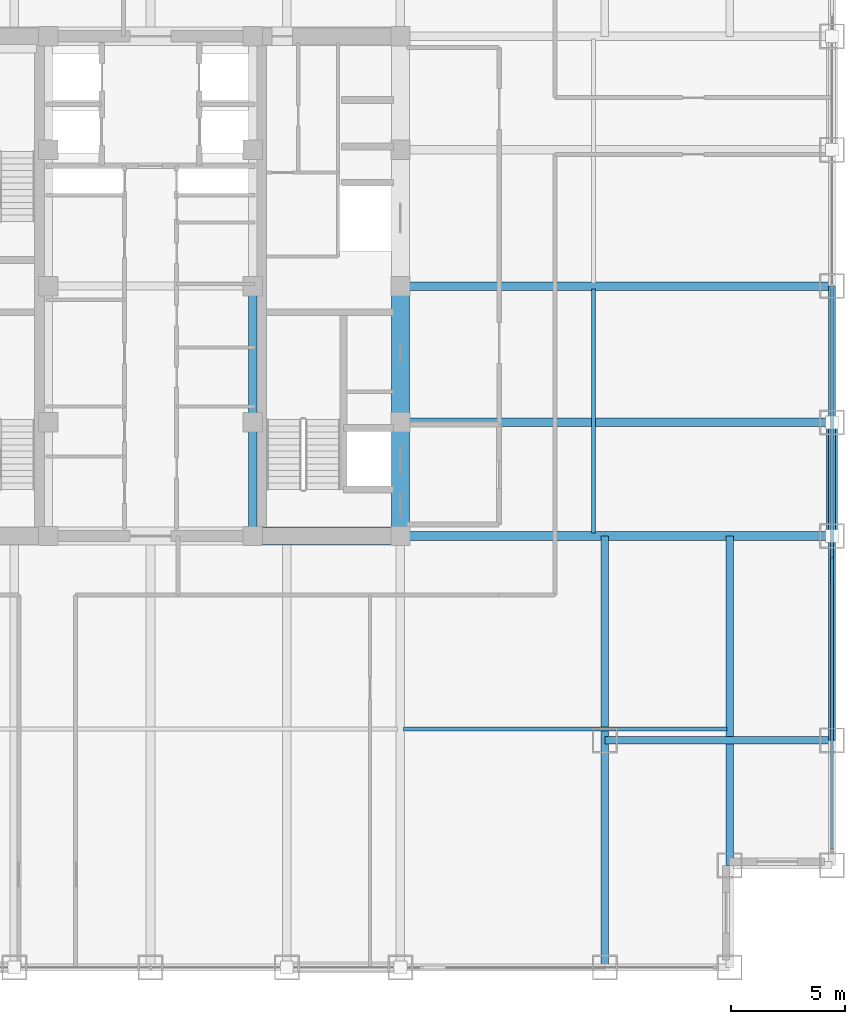
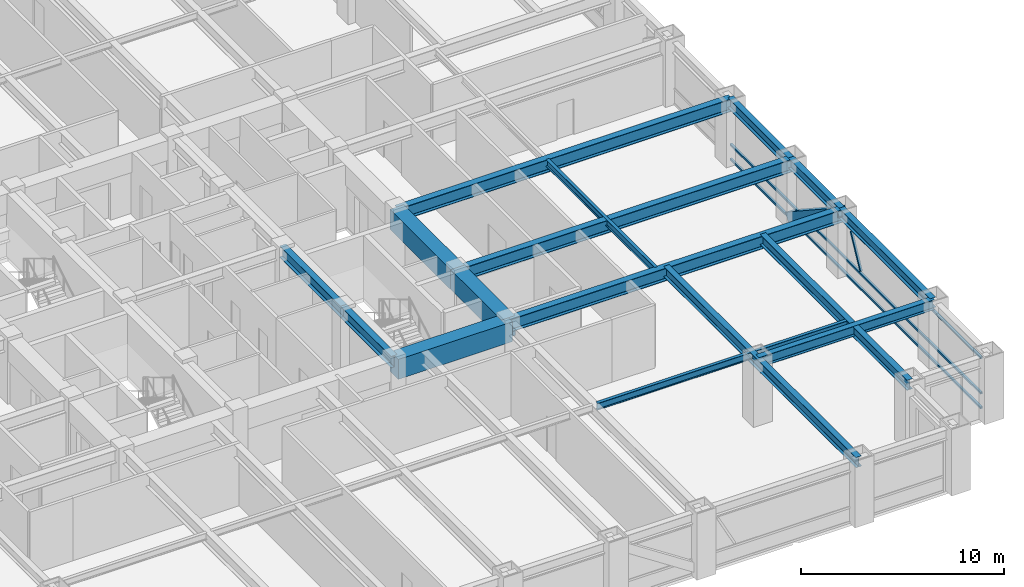
# One storey, part 9 of 24: 16 beams, 5 members, 1 element without a shape of its own.
"""IFC4 building model written with IfcOpenShell, lengths in metres."""

from ifc_helpers import new_model, si_unit, direction, frame, origin, origin_2d, place, context, subcontext, project, spatial, rectangle, hollow_rectangle, i_section, extrude, source, transform, mapped, material, material_profile, profile_set, type_object, element, aggregate, save


model = new_model("IFC4")

# Units and contexts
model_context = context("Model", 3, precision=1e-05, world=origin(), true_north=direction((0.0, 1.0)))
body_context = subcontext(model_context, "Body", "Model", "MODEL_VIEW")
ifc_project = project(units=[si_unit("LENGTHUNIT", "METRE"), si_unit("AREAUNIT", "SQUARE_METRE"), si_unit("VOLUMEUNIT", "CUBIC_METRE"), si_unit("PLANEANGLEUNIT", "RADIAN"), si_unit("MASSUNIT", "GRAM", prefix="KILO")], contexts=[model_context])

# Site, building, storey
site_placement = place(None, origin())
site = spatial("IfcSite", under=ifc_project, at=site_placement, CompositionType="ELEMENT")
building_placement = place(site_placement, origin())
building = spatial("IfcBuilding", under=site, at=building_placement, Name="Khorayat Bourse Tower", CompositionType="ELEMENT")
storey_placement = place(building_placement, frame((0.0, 0.0, 167.10009765625)))
storey = spatial("IfcBuildingStorey", under=building, at=storey_placement, Name="L38", CompositionType="ELEMENT", Elevation=167.10009765625)

# Beams
ifc_material_1 = material(Name="Concrete C72/90", Category="concrete")
ifc_material_profile_1 = material_profile(ifc_material_1, rectangle(XDim=0.800048828125, YDim=1.199951171875, at=origin_2d()), Name="RC 800x1200")
ifc_profile_set_1 = profile_set([ifc_material_profile_1], Name="Concrete C72/90")
beam_type_1 = type_object("IfcBeamType", Name="BM-COUP-1200", PredefinedType="BEAM", material=ifc_profile_set_1)
shared_shape_1 = source(origin(), body_context, "Body", "SweptSolid", [
    extrude(rectangle(XDim=0.800048828125, YDim=1.199951171875, at=origin_2d()), origin(), (0.0, 0.0, 1.0), 5.0),
])
beam_1_placement = place(storey_placement, frame((11.0, -11.0, 3.179931640625), z_axis=(0.0, 1.0, 0.0), x_axis=(-1.0, 0.0, 0.0)))
element("IfcBeam", 1, at=beam_1_placement, inside=storey, type_object=beam_type_1, Name="L38 BM-COUP-1200 BM-L38-CRX-13", PredefinedType="BEAM", context=body_context, shape_type="MappedRepresentation", body=[
    mapped(shared_shape_1, transform((0.0, 0.0, 0.0), scale=1.0)),
])
shared_shape_2 = source(origin(), body_context, "Body", "SweptSolid", [
    extrude(rectangle(XDim=0.800048828125, YDim=1.199951171875, at=origin_2d()), origin(), (0.0, 0.0, 1.0), 6.0),
])
beam_2_placement = place(storey_placement, frame((11.0, -6.0, 3.179931640625), z_axis=(0.0, 1.0, 0.0), x_axis=(-1.0, 0.0, 0.0)))
element("IfcBeam", 2, at=beam_2_placement, inside=storey, type_object=beam_type_1, Name="L38 BM-COUP-1200 BM-L38-CRX-14", PredefinedType="BEAM", context=body_context, shape_type="MappedRepresentation", body=[
    mapped(shared_shape_2, transform((0.0, 0.0, 0.0), scale=1.0)),
])
ifc_material_2 = material(Name="Steel ASTM A992 Grade 50", Category="steel")
ifc_material_profile_2 = material_profile(ifc_material_2, i_section(OverallWidth=0.35498046875, OverallDepth=0.695068359375, WebThickness=0.015380859375, FlangeThickness=0.02490234375, FilletRadius=0.01806640625, at=origin_2d()), Name="W690X217")
ifc_profile_set_2 = profile_set([ifc_material_profile_2], Name="Steel ASTM A992 Grade 50")
beam_type_2 = type_object("IfcBeamType", Name="BM-GIRD-690", PredefinedType="BEAM", material=ifc_profile_set_2)
shared_shape_3 = source(origin(), body_context, "Body", "SweptSolid", [
    extrude(i_section(OverallWidth=0.35498046875, OverallDepth=0.695068359375, WebThickness=0.015380859375, FlangeThickness=0.02490234375, FilletRadius=0.01806640625, at=origin_2d()), origin(), (0.0, 0.0, 1.0), 5.0),
])
beam_3_placement = place(storey_placement, frame((4.5, -11.0, 3.432373046875), z_axis=(0.0, 1.0, 0.0), x_axis=(-1.0, 0.0, 0.0)))
element("IfcBeam", 3, at=beam_3_placement, inside=storey, type_object=beam_type_2, Name="L38 BM-GIRD-690 BM-L38-CRX-09", PredefinedType="BEAM", context=body_context, shape_type="MappedRepresentation", body=[
    mapped(shared_shape_3, transform((0.0, 0.0, 0.0), scale=1.0)),
])
shared_shape_4 = source(origin(), body_context, "Body", "SweptSolid", [
    extrude(i_section(OverallWidth=0.35498046875, OverallDepth=0.695068359375, WebThickness=0.015380859375, FlangeThickness=0.02490234375, FilletRadius=0.01806640625, at=origin_2d()), origin(), (0.0, 0.0, 1.0), 6.0),
])
beam_4_placement = place(storey_placement, frame((4.5, -6.0, 3.432373046875), z_axis=(0.0, 1.0, 0.0), x_axis=(-1.0, 0.0, 0.0)))
element("IfcBeam", 4, at=beam_4_placement, inside=storey, type_object=beam_type_2, Name="L38 BM-GIRD-690 BM-L38-CRX-10", PredefinedType="BEAM", context=body_context, shape_type="MappedRepresentation", body=[
    mapped(shared_shape_4, transform((0.0, 0.0, 0.0), scale=1.0)),
])
shared_shape_5 = source(origin(), body_context, "Body", "SweptSolid", [
    extrude(rectangle(XDim=0.800048828125, YDim=1.199951171875, at=origin_2d()), origin(), (0.0, 0.0, 1.0), 6.5),
])
beam_5_placement = place(storey_placement, frame((4.5, -11.0, 3.179931640625), z_axis=(1.0, 0.0, 0.0), x_axis=(0.0, 1.0, 0.0)))
element("IfcBeam", 5, at=beam_5_placement, inside=storey, type_object=beam_type_1, Name="L38 BM-COUP-1200 BM-L38-CRY-19", PredefinedType="BEAM", context=body_context, shape_type="MappedRepresentation", body=[
    mapped(shared_shape_5, transform((0.0, 0.0, 0.0), scale=1.0)),
])
ifc_material_profile_3 = material_profile(ifc_material_2, i_section(OverallWidth=0.381103515625, OverallDepth=0.77294921875, WebThickness=0.0166015625, FlangeThickness=0.027587890625, FilletRadius=0.01806640625, at=origin_2d()), Name="W760X257")
ifc_profile_set_3 = profile_set([ifc_material_profile_3], Name="Steel ASTM A992 Grade 50")
beam_type_3 = type_object("IfcBeamType", Name="BM-GIRD-760", PredefinedType="BEAM", material=ifc_profile_set_3)
shared_shape_6 = source(origin(), body_context, "Body", "SweptSolid", [
    extrude(i_section(OverallWidth=0.381103515625, OverallDepth=0.77294921875, WebThickness=0.0166015625, FlangeThickness=0.027587890625, FilletRadius=0.01806640625, at=origin_2d()), origin(), (0.0, 0.0, 1.0), 19.0),
])
for number, where, z_axis, x_axis, name in (
    (6, (11.0, -11.0, 3.393310546875), (1.0, 0.0, 0.0), (0.0, 1.0, 0.0), "L38 BM-GIRD-760 BM-L38-RADX-074"),
    (7, (11.0, -6.0, 3.393310546875), (1.0, 0.0, 0.0), (0.0, 1.0, 0.0), "L38 BM-GIRD-760 BM-L38-RADX-076"),
    (8, (11.0, 0.0, 3.393310546875), (1.0, 0.0, 0.0), (0.0, 1.0, 0.0), "L38 BM-GIRD-760 BM-L38-RADX-078"),
):
    element("IfcBeam", number, at=place(storey_placement, frame(where, z_axis=z_axis, x_axis=x_axis)), inside=storey, type_object=beam_type_3, Name=name, PredefinedType="BEAM", context=body_context, shape_type="MappedRepresentation", body=[
        mapped(shared_shape_6, transform((0.0, 0.0, 0.0), scale=1.0)),
    ])
ifc_material_profile_4 = material_profile(ifc_material_2, i_section(OverallWidth=0.324951171875, OverallDepth=0.615966796875, WebThickness=0.013916015625, FlangeThickness=0.021484375, FilletRadius=0.01611328125, at=origin_2d()), Name="W610X174")
ifc_profile_set_4 = profile_set([ifc_material_profile_4], Name="Steel ASTM A992 Grade 50")
beam_type_4 = type_object("IfcBeamType", Name="BM-GIRD-610", PredefinedType="BEAM", material=ifc_profile_set_4)
shared_shape_7 = source(origin(), body_context, "Body", "SweptSolid", [
    extrude(i_section(OverallWidth=0.324951171875, OverallDepth=0.615966796875, WebThickness=0.013916015625, FlangeThickness=0.021484375, FilletRadius=0.01611328125, at=origin_2d()), origin(), (0.0, 0.0, 1.0), 19.0),
])
beam_6_placement = place(storey_placement, frame((20.0, -30.0, 3.471923828125), z_axis=(0.0, 1.0, 0.0), x_axis=(-1.0, 0.0, 0.0)))
element("IfcBeam", 9, at=beam_6_placement, inside=storey, type_object=beam_type_4, Name="L38 BM-GIRD-610 BM-L38-CNRY-086", PredefinedType="BEAM", context=body_context, shape_type="MappedRepresentation", body=[
    mapped(shared_shape_7, transform((0.0, 0.0, 0.0), scale=1.0)),
])
shared_shape_8 = source(origin(), body_context, "Body", "SweptSolid", [
    extrude(i_section(OverallWidth=0.324951171875, OverallDepth=0.615966796875, WebThickness=0.013916015625, FlangeThickness=0.021484375, FilletRadius=0.01611328125, at=origin_2d()), origin(), (0.0, 0.0, 1.0), 14.5),
])
beam_7_placement = place(storey_placement, frame((25.5, -25.5, 3.471923828125), z_axis=(0.0, 1.0, 0.0), x_axis=(-1.0, 0.0, 0.0)))
element("IfcBeam", 10, at=beam_7_placement, inside=storey, type_object=beam_type_4, Name="L38 BM-GIRD-610 BM-L38-CNRY-090", PredefinedType="BEAM", context=body_context, shape_type="MappedRepresentation", body=[
    mapped(shared_shape_8, transform((0.0, 0.0, 0.0), scale=1.0)),
])
shared_shape_9 = source(origin(), body_context, "Body", "SweptSolid", [
    extrude(i_section(OverallWidth=0.324951171875, OverallDepth=0.615966796875, WebThickness=0.013916015625, FlangeThickness=0.021484375, FilletRadius=0.01611328125, at=origin_2d()), origin(), (0.0, 0.0, 1.0), 10.0),
])
beam_8_placement = place(storey_placement, frame((20.0, -20.0, 3.471923828125), z_axis=(1.0, 0.0, 0.0), x_axis=(0.0, 1.0, 0.0)))
element("IfcBeam", 11, at=beam_8_placement, inside=storey, type_object=beam_type_4, Name="L38 BM-GIRD-610 BM-L38-CNRX-092", PredefinedType="BEAM", context=body_context, shape_type="MappedRepresentation", body=[
    mapped(shared_shape_9, transform((0.0, 0.0, 0.0), scale=1.0)),
])
ifc_material_profile_5 = material_profile(ifc_material_2, i_section(OverallWidth=0.180908203125, OverallDepth=0.4169921875, WebThickness=0.010986328125, FlangeThickness=0.018310546875, FilletRadius=0.011962890625, at=origin_2d()), Name="W410X85")
ifc_profile_set_5 = profile_set([ifc_material_profile_5], Name="Steel ASTM A992 Grade 50")
beam_type_5 = type_object("IfcBeamType", Name="BM-JOIST-410", PredefinedType="JOIST", material=ifc_profile_set_5)
shared_shape_10 = source(origin(), body_context, "Body", "SweptSolid", [
    extrude(i_section(OverallWidth=0.180908203125, OverallDepth=0.4169921875, WebThickness=0.010986328125, FlangeThickness=0.018310546875, FilletRadius=0.011962890625, at=origin_2d()), origin(), (0.0, 0.0, 1.0), 14.240234375),
])
beam_9_placement = place(storey_placement, frame((11.1298828125, -19.5, 3.5712890625), z_axis=(1.0, 0.0, 0.0), x_axis=(0.0, 1.0, 0.0)))
element("IfcBeam", 12, at=beam_9_placement, inside=storey, type_object=beam_type_5, Name="L38 BM-JOIST-410 BM-L38-JSTX-098", PredefinedType="JOIST", context=body_context, shape_type="MappedRepresentation", body=[
    mapped(shared_shape_10, transform((0.0, 0.0, 0.0), scale=1.0)),
])
shared_shape_11 = source(origin(), body_context, "Body", "SweptSolid", [
    extrude(i_section(OverallWidth=0.180908203125, OverallDepth=0.4169921875, WebThickness=0.010986328125, FlangeThickness=0.018310546875, FilletRadius=0.011962890625, at=origin_2d()), origin(), (0.0, 0.0, 1.0), 10.740234375),
])
beam_10_placement = place(storey_placement, frame((19.5, -10.8701171875, 3.5712890625), z_axis=(0.0, 1.0, 0.0), x_axis=(-1.0, 0.0, 0.0)))
element("IfcBeam", 13, at=beam_10_placement, inside=storey, type_object=beam_type_5, Name="L38 BM-JOIST-410 BM-L38-JSTY-104", PredefinedType="JOIST", context=body_context, shape_type="MappedRepresentation", body=[
    mapped(shared_shape_11, transform((0.0, 0.0, 0.0), scale=1.0)),
])
ifc_material_profile_6 = material_profile(ifc_material_2, i_section(OverallWidth=0.324951171875, OverallDepth=0.615966796875, WebThickness=0.013916015625, FlangeThickness=0.021484375, FilletRadius=0.01611328125, at=origin_2d()), Name="W610X174")
ifc_profile_set_6 = profile_set([ifc_material_profile_6], Name="Steel ASTM A992 Grade 50")
beam_type_6 = type_object("IfcBeamType", Name="BM-SPAN-610", PredefinedType="SPANDREL", material=ifc_profile_set_6)
shared_shape_12 = source(origin(), body_context, "Body", "SweptSolid", [
    extrude(i_section(OverallWidth=0.324951171875, OverallDepth=0.615966796875, WebThickness=0.013916015625, FlangeThickness=0.021484375, FilletRadius=0.01611328125, at=origin_2d()), origin(), (0.0, 0.0, 1.0), 9.0),
])
beam_11_placement = place(storey_placement, frame((30.0, -20.0, 3.471923828125), z_axis=(0.0, 1.0, 0.0), x_axis=(-1.0, 0.0, 0.0)))
element("IfcBeam", 14, at=beam_11_placement, inside=storey, type_object=beam_type_6, Name="L38 BM-SPAN-610 BM-L38-SPN-035", PredefinedType="SPANDREL", context=body_context, shape_type="MappedRepresentation", body=[
    mapped(shared_shape_12, transform((0.0, 0.0, 0.0), scale=1.0)),
])
shared_shape_13 = source(origin(), body_context, "Body", "SweptSolid", [
    extrude(i_section(OverallWidth=0.324951171875, OverallDepth=0.615966796875, WebThickness=0.013916015625, FlangeThickness=0.021484375, FilletRadius=0.01611328125, at=origin_2d()), origin(), (0.0, 0.0, 1.0), 5.0),
])
beam_12_placement = place(storey_placement, frame((30.0, -11.0, 3.471923828125), z_axis=(0.0, 1.0, 0.0), x_axis=(-1.0, 0.0, 0.0)))
element("IfcBeam", 15, at=beam_12_placement, inside=storey, type_object=beam_type_6, Name="L38 BM-SPAN-610 BM-L38-SPN-036", PredefinedType="SPANDREL", context=body_context, shape_type="MappedRepresentation", body=[
    mapped(shared_shape_13, transform((0.0, 0.0, 0.0), scale=1.0)),
])
shared_shape_14 = source(origin(), body_context, "Body", "SweptSolid", [
    extrude(i_section(OverallWidth=0.324951171875, OverallDepth=0.615966796875, WebThickness=0.013916015625, FlangeThickness=0.021484375, FilletRadius=0.01611328125, at=origin_2d()), origin(), (0.0, 0.0, 1.0), 6.0),
])
beam_13_placement = place(storey_placement, frame((30.0, -6.0, 3.471923828125), z_axis=(0.0, 1.0, 0.0), x_axis=(-1.0, 0.0, 0.0)))
element("IfcBeam", 16, at=beam_13_placement, inside=storey, type_object=beam_type_6, Name="L38 BM-SPAN-610 BM-L38-SPN-037", PredefinedType="SPANDREL", context=body_context, shape_type="MappedRepresentation", body=[
    mapped(shared_shape_14, transform((0.0, 0.0, 0.0), scale=1.0)),
])

# Member
ifc_material_3 = material(Name="Steel EN 10025-4 S460M", Category="steel")
ifc_material_profile_7 = material_profile(ifc_material_3, hollow_rectangle(XDim=0.5, YDim=0.5, WallThickness=0.028076171875, at=origin_2d()), Name="HSS 500x500x28")
ifc_profile_set_7 = profile_set([ifc_material_profile_7], Name="Steel EN 10025-4 S460M")
member_type_1 = type_object("IfcMemberType", Name="MBR-TUBE-500", PredefinedType="BRACE", material=ifc_profile_set_7)
shared_shape_15 = source(origin(), body_context, "Body", "SweptSolid", [
    extrude(hollow_rectangle(XDim=0.5, YDim=0.5, WallThickness=0.028076171875, at=origin_2d()), origin(), (0.0, 0.0, 1.0), 5.979736328125),
])
member_1_placement = place(storey_placement, frame((30.0, -11.0, 3.52978515625), z_axis=(0.0, 0.836160261256, -0.548485202623), x_axis=(-1.0, 0.0, 0.0)))
element("IfcMember", 17, at=member_1_placement, inside=storey, type_object=member_type_1, Name="L38 Perimeter Tube Brace 07", PredefinedType="BRACE", context=body_context, shape_type="MappedRepresentation", body=[
    mapped(shared_shape_15, transform((0.0, 0.0, 0.0), scale=1.0)),
])

# Curtain wall, members
ifc_material_4 = material(Name="Aluminium EN AW-6063 T6", Category="aluminium")
curtain_wall_type = type_object("IfcCurtainWallType", Name="CW-SYS-03", PredefinedType="NOTDEFINED", material=ifc_material_4)
curtain_wall_placement = place(storey_placement, origin())
curtain_wall = element("IfcCurtainWall", 18, at=curtain_wall_placement, inside=storey, type_object=curtain_wall_type, Name="L38 Curtain Wall CW-L38-E1", PredefinedType="NOTDEFINED")
ifc_material_profile_8 = material_profile(ifc_material_4, hollow_rectangle(XDim=0.1201171875, YDim=0.1201171875, WallThickness=0.0048828125, at=origin_2d()), Name="ALU 120x120x5")
ifc_profile_set_8 = profile_set([ifc_material_profile_8], Name="Aluminium EN AW-6063 T6")
member_type_2 = type_object("IfcMemberType", Name="CWM-DIAG-120", PredefinedType="MULLION", material=ifc_profile_set_8)
shared_shape_16 = source(origin(), body_context, "Body", "SweptSolid", [
    extrude(hollow_rectangle(XDim=0.1201171875, YDim=0.1201171875, WallThickness=0.0048828125, at=origin_2d()), origin(), (0.0, 0.0, 1.0), 2.079345703125),
])
member_2_placement = place(storey_placement, frame((30.0, -12.904296875, 1.08984375), z_axis=(0.0, 0.465760949701, 0.884910581773), x_axis=(-1.0, 0.0, 0.0)))
member_2 = element("IfcMember", 19, at=member_2_placement, type_object=member_type_2, Name="CW-L38-E1 Faceted Diagonal Mullion 1", PredefinedType="MULLION", context=body_context, shape_type="MappedRepresentation", body=[
    mapped(shared_shape_16, transform((0.0, 0.0, 0.0), scale=1.0)),
])
ifc_material_profile_9 = material_profile(ifc_material_4, hollow_rectangle(XDim=0.1201171875, YDim=0.1201171875, WallThickness=0.0048828125, at=origin_2d()), Name="ALU 120x120x5")
ifc_profile_set_9 = profile_set([ifc_material_profile_9], Name="Aluminium EN AW-6063 T6")
member_type_3 = type_object("IfcMemberType", Name="CWT-HORZ-120", PredefinedType="USERDEFINED", material=ifc_profile_set_9)
shared_shape_17 = source(origin(), body_context, "Body", "SweptSolid", [
    extrude(hollow_rectangle(XDim=0.1201171875, YDim=0.1201171875, WallThickness=0.0048828125, at=origin_2d()), origin(), (0.0, 0.0, 1.0), 24.719970703125),
])
member_3_placement = place(storey_placement, frame((30.0, -24.780029296875, 0.059814453125), z_axis=(0.0, 1.0, 0.0), x_axis=(-1.0, 0.0, 0.0)))
member_3 = element("IfcMember", 20, at=member_3_placement, type_object=member_type_3, Name="CW-L38-E1 Horizontal Transom 1-1", ObjectType="TRANSOM", PredefinedType="USERDEFINED", context=body_context, shape_type="MappedRepresentation", body=[
    mapped(shared_shape_17, transform((0.0, 0.0, 0.0), scale=1.0)),
])
member_4_placement = place(storey_placement, frame((30.0, -24.780029296875, 0.949951171875), z_axis=(0.0, 1.0, 0.0), x_axis=(-1.0, 0.0, 0.0)))
member_4 = element("IfcMember", 21, at=member_4_placement, type_object=member_type_3, Name="CW-L38-E1 Horizontal Transom 1-2", ObjectType="TRANSOM", PredefinedType="USERDEFINED", context=body_context, shape_type="MappedRepresentation", body=[
    mapped(shared_shape_17, transform((0.0, 0.0, 0.0), scale=1.0)),
])
member_5_placement = place(storey_placement, frame((30.0, -24.780029296875, 3.06982421875), z_axis=(0.0, 1.0, 0.0), x_axis=(-1.0, 0.0, 0.0)))
member_5 = element("IfcMember", 22, at=member_5_placement, type_object=member_type_3, Name="CW-L38-E1 Horizontal Transom 1-3", ObjectType="TRANSOM", PredefinedType="USERDEFINED", context=body_context, shape_type="MappedRepresentation", body=[
    mapped(shared_shape_17, transform((0.0, 0.0, 0.0), scale=1.0)),
])
aggregate(curtain_wall, [member_3, member_4, member_5, member_2])

save(model, "model.ifc")
